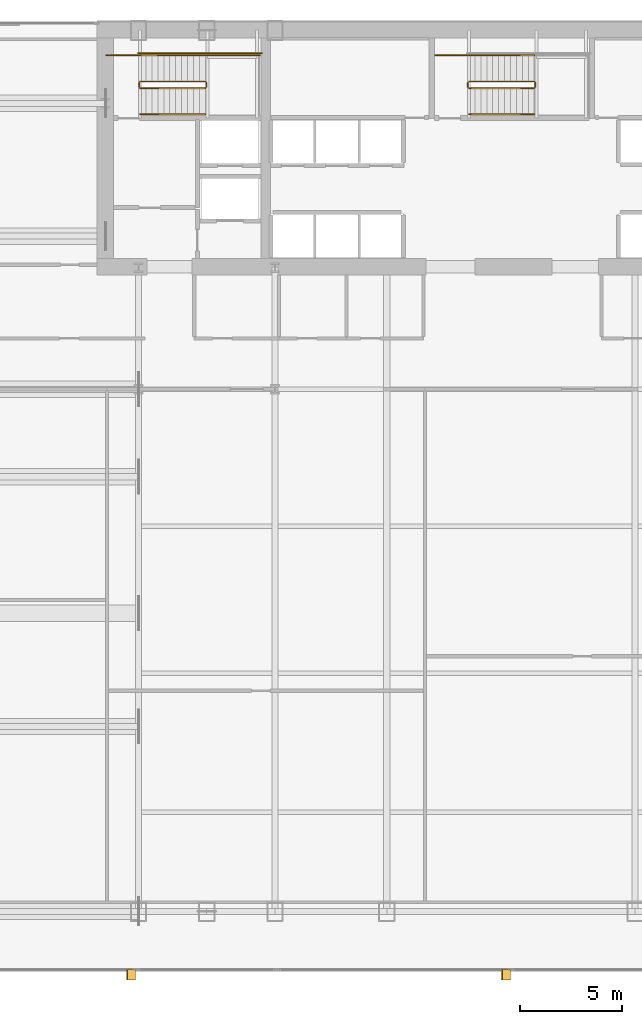
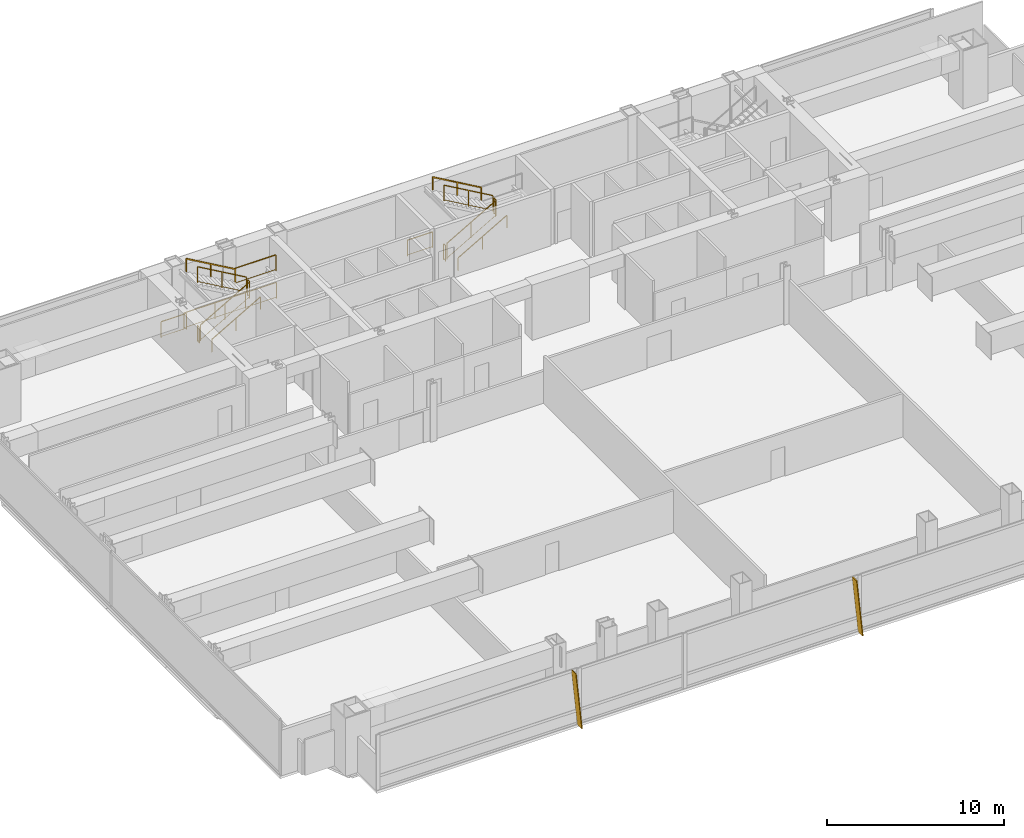
# One storey, part 30 of 32: 16 railings, 2 shading devices.
"""IFC4 building model written with IfcOpenShell, lengths in metres."""

from ifc_helpers import new_model, si_unit, direction, frame, origin, origin_2d, place, context, subcontext, project, spatial, polyline, rectangle, outline, extrude, material, layer, layer_set, type_object, element, save


model = new_model("IFC4")

# Units and contexts
model_context = context("Model", 3, precision=1e-05, world=origin(), true_north=direction((0.0, 1.0)))
body_context = subcontext(model_context, "Body", "Model", "MODEL_VIEW")
ifc_project = project(units=[si_unit("LENGTHUNIT", "METRE"), si_unit("AREAUNIT", "SQUARE_METRE"), si_unit("VOLUMEUNIT", "CUBIC_METRE"), si_unit("PLANEANGLEUNIT", "RADIAN"), si_unit("MASSUNIT", "GRAM", prefix="KILO")], contexts=[model_context])

# Site, building, storey
site_placement = place(None, origin())
site = spatial("IfcSite", under=ifc_project, at=site_placement, CompositionType="ELEMENT")
building_placement = place(site_placement, origin())
building = spatial("IfcBuilding", under=site, at=building_placement, Name="Khoronbel Lancet Exchange", CompositionType="ELEMENT")
storey_placement = place(building_placement, frame((0.0, 0.0, 77.800048828125)))
storey = spatial("IfcBuildingStorey", under=building, at=storey_placement, Name="L18", CompositionType="ELEMENT", Elevation=77.800048828125)

# Railings
ifc_material_1 = material(Name="Painted Steel Balustrade", Category="steel")
railing_type_1 = type_object("IfcRailingType", Name="RL-STG110", PredefinedType="GUARDRAIL", material=ifc_material_1)
railing_1_placement = place(storey_placement, frame((18.300048828125, 50.449951171875, 0.16650390625)))
element("IfcRailing", 1, at=railing_1_placement, inside=storey, type_object=railing_type_1, Name="L18 ST1 stair guard 1", PredefinedType="GUARDRAIL", context=body_context, shape_type="SweptSolid", body=[
    extrude(rectangle(XDim=0.048095703125, YDim=0.048095703125, at=origin_2d()), frame((0.0, 0.0, 1.09619140625), z_axis=(0.86699087805, 0.0, 0.498324008431), x_axis=(0.0, 1.0, 0.0)), (0.0, 0.0, 1.0), 3.679443359375),
    extrude(rectangle(XDim=0.02392578125, YDim=0.02392578125, at=origin_2d()), frame((0.0, 0.0, 0.080078125), z_axis=(0.86699087805, 0.0, 0.498324008431), x_axis=(0.0, 1.0, 0.0)), (0.0, 0.0, 1.0), 3.679443359375),
    extrude(rectangle(XDim=0.0419921875, YDim=0.0419921875, at=origin_2d()), origin(), (0.0, 0.0, 1.0), 1.072021484375),
    extrude(rectangle(XDim=0.0419921875, YDim=0.0419921875, at=origin_2d()), frame((1.594970703125, 0.0, 0.916748046875)), (0.0, 0.0, 1.0), 1.072021484375),
    extrude(rectangle(XDim=0.0419921875, YDim=0.0419921875, at=origin_2d()), frame((3.18994140625, 0.0, 1.83349609375)), (0.0, 0.0, 1.0), 1.072021484375),
])
railing_2_placement = place(storey_placement, frame((21.5400390625, 50.5, 2.0)))
element("IfcRailing", 2, at=railing_2_placement, inside=storey, type_object=railing_type_1, Name="L18 ST1 stair guard 2", PredefinedType="GUARDRAIL", context=body_context, shape_type="SweptSolid", body=[
    extrude(rectangle(XDim=0.048095703125, YDim=0.048095703125, at=origin_2d()), frame((0.0, 0.0, 1.09619140625), z_axis=(0.0, 1.0, 0.0), x_axis=(-1.0, 0.0, 0.0)), (0.0, 0.0, 1.0), 0.219970703125),
    extrude(rectangle(XDim=0.02392578125, YDim=0.02392578125, at=origin_2d()), frame((0.0, 0.0, 0.080078125), z_axis=(0.0, 1.0, 0.0), x_axis=(-1.0, 0.0, 0.0)), (0.0, 0.0, 1.0), 0.219970703125),
    extrude(rectangle(XDim=0.0419921875, YDim=0.0419921875, at=origin_2d()), origin(), (0.0, 0.0, 1.0), 1.072021484375),
    extrude(rectangle(XDim=0.0419921875, YDim=0.0419921875, at=origin_2d()), frame((0.0, 0.219970703125, 0.0)), (0.0, 0.0, 1.0), 1.072021484375),
])
railing_3_placement = place(storey_placement, frame((21.489990234375, 52.050048828125, 2.0)))
element("IfcRailing", 3, at=railing_3_placement, inside=storey, type_object=railing_type_1, Name="L18 ST1 stair guard 3", PredefinedType="GUARDRAIL", context=body_context, shape_type="SweptSolid", body=[
    extrude(rectangle(XDim=0.048095703125, YDim=0.048095703125, at=origin_2d()), frame((0.0, 0.0, 1.09619140625), z_axis=(1.0, 0.0, 0.0), x_axis=(0.0, 1.0, 0.0)), (0.0, 0.0, 1.0), 2.659912109375),
    extrude(rectangle(XDim=0.02392578125, YDim=0.02392578125, at=origin_2d()), frame((0.0, 0.0, 0.080078125), z_axis=(1.0, 0.0, 0.0), x_axis=(0.0, 1.0, 0.0)), (0.0, 0.0, 1.0), 2.659912109375),
    extrude(rectangle(XDim=0.0419921875, YDim=0.0419921875, at=origin_2d()), origin(), (0.0, 0.0, 1.0), 1.072021484375),
    extrude(rectangle(XDim=0.0419921875, YDim=0.0419921875, at=origin_2d()), frame((2.659912109375, 0.0, 0.0)), (0.0, 0.0, 1.0), 1.072021484375),
])
railing_4_placement = place(storey_placement, frame((21.489990234375, 50.77001953125, 2.16650390625)))
element("IfcRailing", 4, at=railing_4_placement, inside=storey, type_object=railing_type_1, Name="L18 ST1 stair guard 4", PredefinedType="GUARDRAIL", context=body_context, shape_type="SweptSolid", body=[
    extrude(rectangle(XDim=0.048095703125, YDim=0.048095703125, at=origin_2d()), frame((0.0, 0.0, 1.09619140625), z_axis=(-0.86699087805, 0.0, 0.498324008431), x_axis=(0.0, -1.0, 0.0)), (0.0, 0.0, 1.0), 3.679443359375),
    extrude(rectangle(XDim=0.02392578125, YDim=0.02392578125, at=origin_2d()), frame((0.0, 0.0, 0.080078125), z_axis=(-0.86699087805, 0.0, 0.498324008431), x_axis=(0.0, -1.0, 0.0)), (0.0, 0.0, 1.0), 3.679443359375),
    extrude(rectangle(XDim=0.0419921875, YDim=0.0419921875, at=origin_2d()), origin(), (0.0, 0.0, 1.0), 1.072021484375),
    extrude(rectangle(XDim=0.0419921875, YDim=0.0419921875, at=origin_2d()), frame((-1.594970703125, 0.0, 0.916748046875)), (0.0, 0.0, 1.0), 1.072021484375),
    extrude(rectangle(XDim=0.0419921875, YDim=0.0419921875, at=origin_2d()), frame((-3.18994140625, 0.0, 1.83349609375)), (0.0, 0.0, 1.0), 1.072021484375),
])
railing_5_placement = place(storey_placement, frame((18.25, 50.5, 0.0)))
element("IfcRailing", 5, at=railing_5_placement, inside=storey, type_object=railing_type_1, Name="L18 ST1 stair guard 5", PredefinedType="GUARDRAIL", context=body_context, shape_type="SweptSolid", body=[
    extrude(rectangle(XDim=0.048095703125, YDim=0.048095703125, at=origin_2d()), frame((0.0, 0.0, 1.09619140625), z_axis=(0.0, 1.0, 0.0), x_axis=(-1.0, 0.0, 0.0)), (0.0, 0.0, 1.0), 0.219970703125),
    extrude(rectangle(XDim=0.02392578125, YDim=0.02392578125, at=origin_2d()), frame((0.0, 0.0, 0.080078125), z_axis=(0.0, 1.0, 0.0), x_axis=(-1.0, 0.0, 0.0)), (0.0, 0.0, 1.0), 0.219970703125),
    extrude(rectangle(XDim=0.0419921875, YDim=0.0419921875, at=origin_2d()), origin(), (0.0, 0.0, 1.0), 1.072021484375),
    extrude(rectangle(XDim=0.0419921875, YDim=0.0419921875, at=origin_2d()), frame((0.0, 0.219970703125, 0.0)), (0.0, 0.0, 1.0), 1.072021484375),
])
railing_6_placement = place(storey_placement, frame((16.64990234375, 52.050048828125, 0.0)))
element("IfcRailing", 6, at=railing_6_placement, inside=storey, type_object=railing_type_1, Name="L18 ST1 stair guard 6", PredefinedType="GUARDRAIL", context=body_context, shape_type="SweptSolid", body=[
    extrude(rectangle(XDim=0.048095703125, YDim=0.048095703125, at=origin_2d()), frame((0.0, 0.0, 1.09619140625), z_axis=(1.0, 0.0, 0.0), x_axis=(0.0, 1.0, 0.0)), (0.0, 0.0, 1.0), 1.650146484375),
    extrude(rectangle(XDim=0.02392578125, YDim=0.02392578125, at=origin_2d()), frame((0.0, 0.0, 0.080078125), z_axis=(1.0, 0.0, 0.0), x_axis=(0.0, 1.0, 0.0)), (0.0, 0.0, 1.0), 1.650146484375),
    extrude(rectangle(XDim=0.0419921875, YDim=0.0419921875, at=origin_2d()), origin(), (0.0, 0.0, 1.0), 1.072021484375),
    extrude(rectangle(XDim=0.0419921875, YDim=0.0419921875, at=origin_2d()), frame((1.650146484375, 0.0, 0.0)), (0.0, 0.0, 1.0), 1.072021484375),
])
railing_7_placement = place(storey_placement, frame((18.199951171875, 52.14990234375, 0.0)))
element("IfcRailing", 7, at=railing_7_placement, inside=storey, type_object=railing_type_1, Name="L18 ST1 stair guard 7", PredefinedType="GUARDRAIL", context=body_context, shape_type="SweptSolid", body=[
    extrude(rectangle(XDim=0.048095703125, YDim=0.048095703125, at=origin_2d()), frame((0.0, 0.0, 1.09619140625), z_axis=(1.0, 0.0, 0.0), x_axis=(0.0, 1.0, 0.0)), (0.0, 0.0, 1.0), 6.050048828125),
    extrude(rectangle(XDim=0.02392578125, YDim=0.02392578125, at=origin_2d()), frame((0.0, 0.0, 0.080078125), z_axis=(1.0, 0.0, 0.0), x_axis=(0.0, 1.0, 0.0)), (0.0, 0.0, 1.0), 6.050048828125),
    extrude(rectangle(XDim=0.0419921875, YDim=0.0419921875, at=origin_2d()), origin(), (0.0, 0.0, 1.0), 1.072021484375),
    extrude(rectangle(XDim=0.0419921875, YDim=0.0419921875, at=origin_2d()), frame((2.0166015625, 0.0, 0.0)), (0.0, 0.0, 1.0), 1.072021484375),
    extrude(rectangle(XDim=0.0419921875, YDim=0.0419921875, at=origin_2d()), frame((4.033447265625, 0.0, 0.0)), (0.0, 0.0, 1.0), 1.072021484375),
    extrude(rectangle(XDim=0.0419921875, YDim=0.0419921875, at=origin_2d()), frame((6.050048828125, 0.0, 0.0)), (0.0, 0.0, 1.0), 1.072021484375),
])
railing_8_placement = place(storey_placement, frame((34.39990234375, 50.449951171875, 0.16650390625)))
element("IfcRailing", 8, at=railing_8_placement, inside=storey, type_object=railing_type_1, Name="L18 ST3 stair guard 1", PredefinedType="GUARDRAIL", context=body_context, shape_type="SweptSolid", body=[
    extrude(rectangle(XDim=0.048095703125, YDim=0.048095703125, at=origin_2d()), frame((0.0, 0.0, 1.09619140625), z_axis=(0.867007354286, 0.0, 0.498295341753), x_axis=(0.0, 1.0, 0.0)), (0.0, 0.0, 1.0), 3.679443359375),
    extrude(rectangle(XDim=0.02392578125, YDim=0.02392578125, at=origin_2d()), frame((0.0, 0.0, 0.080078125), z_axis=(0.867007354286, 0.0, 0.498295341753), x_axis=(0.0, 1.0, 0.0)), (0.0, 0.0, 1.0), 3.679443359375),
    extrude(rectangle(XDim=0.0419921875, YDim=0.0419921875, at=origin_2d()), origin(), (0.0, 0.0, 1.0), 1.072021484375),
    extrude(rectangle(XDim=0.0419921875, YDim=0.0419921875, at=origin_2d()), frame((1.59521484375, 0.0, 0.916748046875)), (0.0, 0.0, 1.0), 1.072021484375),
    extrude(rectangle(XDim=0.0419921875, YDim=0.0419921875, at=origin_2d()), frame((3.190185546875, 0.0, 1.83349609375)), (0.0, 0.0, 1.0), 1.072021484375),
])
railing_9_placement = place(storey_placement, frame((37.639892578125, 50.5, 2.0)))
element("IfcRailing", 9, at=railing_9_placement, inside=storey, type_object=railing_type_1, Name="L18 ST3 stair guard 2", PredefinedType="GUARDRAIL", context=body_context, shape_type="SweptSolid", body=[
    extrude(rectangle(XDim=0.048095703125, YDim=0.048095703125, at=origin_2d()), frame((0.0, 0.0, 1.09619140625), z_axis=(0.0, 1.0, 0.0), x_axis=(-1.0, 0.0, 0.0)), (0.0, 0.0, 1.0), 0.219970703125),
    extrude(rectangle(XDim=0.02392578125, YDim=0.02392578125, at=origin_2d()), frame((0.0, 0.0, 0.080078125), z_axis=(0.0, 1.0, 0.0), x_axis=(-1.0, 0.0, 0.0)), (0.0, 0.0, 1.0), 0.219970703125),
    extrude(rectangle(XDim=0.0419921875, YDim=0.0419921875, at=origin_2d()), origin(), (0.0, 0.0, 1.0), 1.072021484375),
    extrude(rectangle(XDim=0.0419921875, YDim=0.0419921875, at=origin_2d()), frame((0.0, 0.219970703125, 0.0)), (0.0, 0.0, 1.0), 1.072021484375),
])
railing_10_placement = place(storey_placement, frame((37.590087890625, 50.77001953125, 2.16650390625)))
element("IfcRailing", 10, at=railing_10_placement, inside=storey, type_object=railing_type_1, Name="L18 ST3 stair guard 4", PredefinedType="GUARDRAIL", context=body_context, shape_type="SweptSolid", body=[
    extrude(rectangle(XDim=0.048095703125, YDim=0.048095703125, at=origin_2d()), frame((0.0, 0.0, 1.09619140625), z_axis=(-0.867007354286, 0.0, 0.498295341753), x_axis=(0.0, -1.0, 0.0)), (0.0, 0.0, 1.0), 3.679443359375),
    extrude(rectangle(XDim=0.02392578125, YDim=0.02392578125, at=origin_2d()), frame((0.0, 0.0, 0.080078125), z_axis=(-0.867007354286, 0.0, 0.498295341753), x_axis=(0.0, -1.0, 0.0)), (0.0, 0.0, 1.0), 3.679443359375),
    extrude(rectangle(XDim=0.0419921875, YDim=0.0419921875, at=origin_2d()), origin(), (0.0, 0.0, 1.0), 1.072021484375),
    extrude(rectangle(XDim=0.0419921875, YDim=0.0419921875, at=origin_2d()), frame((-1.59521484375, 0.0, 0.916748046875)), (0.0, 0.0, 1.0), 1.072021484375),
    extrude(rectangle(XDim=0.0419921875, YDim=0.0419921875, at=origin_2d()), frame((-3.190185546875, 0.0, 1.83349609375)), (0.0, 0.0, 1.0), 1.072021484375),
])
railing_11_placement = place(storey_placement, frame((34.35009765625, 50.5, 0.0)))
element("IfcRailing", 11, at=railing_11_placement, inside=storey, type_object=railing_type_1, Name="L18 ST3 stair guard 5", PredefinedType="GUARDRAIL", context=body_context, shape_type="SweptSolid", body=[
    extrude(rectangle(XDim=0.048095703125, YDim=0.048095703125, at=origin_2d()), frame((0.0, 0.0, 1.09619140625), z_axis=(0.0, 1.0, 0.0), x_axis=(-1.0, 0.0, 0.0)), (0.0, 0.0, 1.0), 0.219970703125),
    extrude(rectangle(XDim=0.02392578125, YDim=0.02392578125, at=origin_2d()), frame((0.0, 0.0, 0.080078125), z_axis=(0.0, 1.0, 0.0), x_axis=(-1.0, 0.0, 0.0)), (0.0, 0.0, 1.0), 0.219970703125),
    extrude(rectangle(XDim=0.0419921875, YDim=0.0419921875, at=origin_2d()), origin(), (0.0, 0.0, 1.0), 1.072021484375),
    extrude(rectangle(XDim=0.0419921875, YDim=0.0419921875, at=origin_2d()), frame((0.0, 0.219970703125, 0.0)), (0.0, 0.0, 1.0), 1.072021484375),
])
railing_12_placement = place(storey_placement, frame((32.75, 52.050048828125, 0.0)))
element("IfcRailing", 12, at=railing_12_placement, inside=storey, type_object=railing_type_1, Name="L18 ST3 stair guard 6", PredefinedType="GUARDRAIL", context=body_context, shape_type="SweptSolid", body=[
    extrude(rectangle(XDim=0.048095703125, YDim=0.048095703125, at=origin_2d()), frame((0.0, 0.0, 1.09619140625), z_axis=(1.0, 0.0, 0.0), x_axis=(0.0, 1.0, 0.0)), (0.0, 0.0, 1.0), 1.64990234375),
    extrude(rectangle(XDim=0.02392578125, YDim=0.02392578125, at=origin_2d()), frame((0.0, 0.0, 0.080078125), z_axis=(1.0, 0.0, 0.0), x_axis=(0.0, 1.0, 0.0)), (0.0, 0.0, 1.0), 1.64990234375),
    extrude(rectangle(XDim=0.0419921875, YDim=0.0419921875, at=origin_2d()), origin(), (0.0, 0.0, 1.0), 1.072021484375),
    extrude(rectangle(XDim=0.0419921875, YDim=0.0419921875, at=origin_2d()), frame((1.64990234375, 0.0, 0.0)), (0.0, 0.0, 1.0), 1.072021484375),
])
ifc_material_2 = material(Name="Brushed Stainless Steel 316", Category="steel")
railing_type_2 = type_object("IfcRailingType", Name="RL-STH92", PredefinedType="HANDRAIL", material=ifc_material_2)
railing_13_placement = place(storey_placement, frame((18.300048828125, 49.169921875, 0.16650390625)))
element("IfcRailing", 13, at=railing_13_placement, inside=storey, type_object=railing_type_2, Name="L18 ST1 stair handrail 1", PredefinedType="HANDRAIL", context=body_context, shape_type="SweptSolid", body=[
    extrude(rectangle(XDim=0.048095703125, YDim=0.048095703125, at=origin_2d()), frame((0.0, 0.0, 0.8759765625), z_axis=(0.86699087805, 0.0, 0.498324008431), x_axis=(0.0, 1.0, 0.0)), (0.0, 0.0, 1.0), 3.679443359375),
    extrude(rectangle(XDim=0.0419921875, YDim=0.0419921875, at=origin_2d()), origin(), (0.0, 0.0, 1.0), 0.851806640625),
    extrude(rectangle(XDim=0.0419921875, YDim=0.0419921875, at=origin_2d()), frame((1.594970703125, 0.0, 0.916748046875)), (0.0, 0.0, 1.0), 0.851806640625),
    extrude(rectangle(XDim=0.0419921875, YDim=0.0419921875, at=origin_2d()), frame((3.18994140625, 0.0, 1.83349609375)), (0.0, 0.0, 1.0), 0.851806640625),
])
railing_14_placement = place(storey_placement, frame((21.489990234375, 52.050048828125, 2.16650390625)))
element("IfcRailing", 14, at=railing_14_placement, inside=storey, type_object=railing_type_2, Name="L18 ST1 stair handrail 2", PredefinedType="HANDRAIL", context=body_context, shape_type="SweptSolid", body=[
    extrude(rectangle(XDim=0.048095703125, YDim=0.048095703125, at=origin_2d()), frame((0.0, 0.0, 0.8759765625), z_axis=(-0.86699087805, 0.0, 0.498324008431), x_axis=(0.0, -1.0, 0.0)), (0.0, 0.0, 1.0), 3.679443359375),
    extrude(rectangle(XDim=0.0419921875, YDim=0.0419921875, at=origin_2d()), origin(), (0.0, 0.0, 1.0), 0.851806640625),
    extrude(rectangle(XDim=0.0419921875, YDim=0.0419921875, at=origin_2d()), frame((-1.594970703125, 0.0, 0.916748046875)), (0.0, 0.0, 1.0), 0.851806640625),
    extrude(rectangle(XDim=0.0419921875, YDim=0.0419921875, at=origin_2d()), frame((-3.18994140625, 0.0, 1.83349609375)), (0.0, 0.0, 1.0), 0.851806640625),
])
railing_15_placement = place(storey_placement, frame((34.39990234375, 49.169921875, 0.16650390625)))
element("IfcRailing", 15, at=railing_15_placement, inside=storey, type_object=railing_type_2, Name="L18 ST3 stair handrail 1", PredefinedType="HANDRAIL", context=body_context, shape_type="SweptSolid", body=[
    extrude(rectangle(XDim=0.048095703125, YDim=0.048095703125, at=origin_2d()), frame((0.0, 0.0, 0.8759765625), z_axis=(0.867007354286, 0.0, 0.498295341753), x_axis=(0.0, 1.0, 0.0)), (0.0, 0.0, 1.0), 3.679443359375),
    extrude(rectangle(XDim=0.0419921875, YDim=0.0419921875, at=origin_2d()), origin(), (0.0, 0.0, 1.0), 0.851806640625),
    extrude(rectangle(XDim=0.0419921875, YDim=0.0419921875, at=origin_2d()), frame((1.59521484375, 0.0, 0.916748046875)), (0.0, 0.0, 1.0), 0.851806640625),
    extrude(rectangle(XDim=0.0419921875, YDim=0.0419921875, at=origin_2d()), frame((3.190185546875, 0.0, 1.83349609375)), (0.0, 0.0, 1.0), 0.851806640625),
])
railing_16_placement = place(storey_placement, frame((37.590087890625, 52.050048828125, 2.16650390625)))
element("IfcRailing", 16, at=railing_16_placement, inside=storey, type_object=railing_type_2, Name="L18 ST3 stair handrail 2", PredefinedType="HANDRAIL", context=body_context, shape_type="SweptSolid", body=[
    extrude(rectangle(XDim=0.048095703125, YDim=0.048095703125, at=origin_2d()), frame((0.0, 0.0, 0.8759765625), z_axis=(-0.867007354286, 0.0, 0.498295341753), x_axis=(0.0, -1.0, 0.0)), (0.0, 0.0, 1.0), 3.679443359375),
    extrude(rectangle(XDim=0.0419921875, YDim=0.0419921875, at=origin_2d()), origin(), (0.0, 0.0, 1.0), 0.851806640625),
    extrude(rectangle(XDim=0.0419921875, YDim=0.0419921875, at=origin_2d()), frame((-1.59521484375, 0.0, 0.916748046875)), (0.0, 0.0, 1.0), 0.851806640625),
    extrude(rectangle(XDim=0.0419921875, YDim=0.0419921875, at=origin_2d()), frame((-3.190185546875, 0.0, 1.83349609375)), (0.0, 0.0, 1.0), 0.851806640625),
])

# Shading devices
ifc_material_3 = material(Name="Bronze-Anodised Aluminium 6063-T6", Category="aluminium")
ifc_layer = layer(ifc_material_3, 0.054931640625, Name="Bronze-Anodised Aluminium 6063-T6")
ifc_layer_set = layer_set([ifc_layer], Name="Bronze-Anodised Aluminium 6063-T6")
shading_device_type = type_object("IfcShadingDeviceType", Name="SHD-FIN1", PredefinedType="USERDEFINED", material=ifc_layer_set)
for number, where, z_axis, x_axis, name in (
    (17, (18.072509765625, 7.31005859375, -0.080078125), (0.995011517869, 0.0, 0.099760108806), (0.0, -1.0, 0.0), "Slanted bronze solar fin CW-L18-SWV-1"),
    (18, (36.422607421875, 7.31005859375, -0.080078125), (0.995011517869, 0.0, 0.099760108806), (0.0, -1.0, 0.0), "Slanted bronze solar fin CW-L18-SCV-1"),
):
    element("IfcShadingDevice", number, at=place(storey_placement, frame(where, z_axis=z_axis, x_axis=x_axis)), inside=storey, type_object=shading_device_type, Name=name, ObjectType="FIN", PredefinedType="USERDEFINED", context=body_context, shape_type="SweptSolid", body=[
        extrude(outline(polyline([(0.0, 0.0), (0.52001953125, 0.0), (0.52001953125, -3.959716796875), (0.0, -3.959716796875), (0.0, 0.0)])), origin(), (0.0, 0.0, -1.0), 0.054931640625),
    ])

save(model, "model.ifc")
